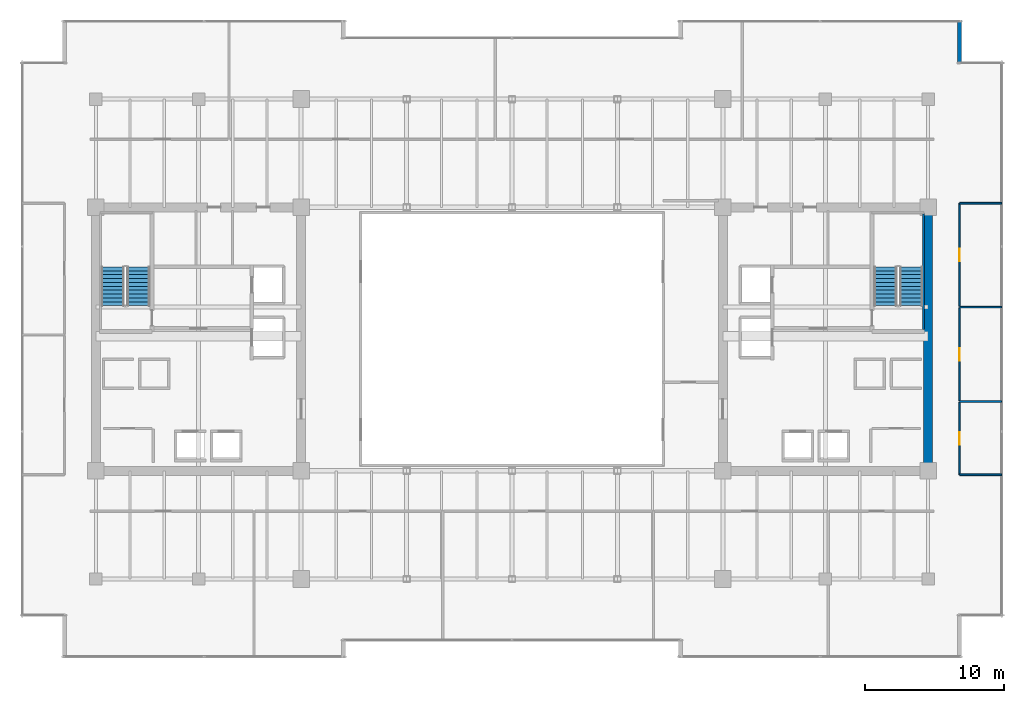
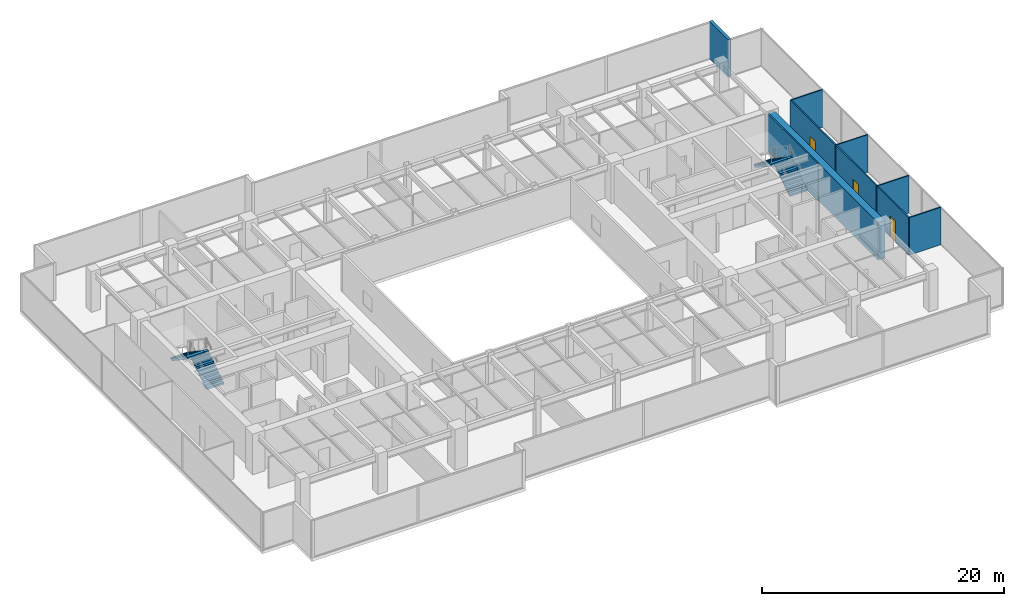
# One storey, part 28 of 30: 10 walls, 4 stair flights, 3 doors, 3 openings, 2 elements without a shape of their own.
"""IFC4 building model written with IfcOpenShell, lengths in metres."""

from ifc_helpers import new_model, si_unit, direction, frame, frame_2d, origin, place, context, subcontext, project, spatial, polyline, rectangle, outline, extrude, source, transform, mapped, material, layer, layer_set, type_object, type_shapes, element, fill, aggregate, save


model = new_model("IFC4")

# Units and contexts
model_context = context("Model", 3, precision=1e-05, world=origin(), true_north=direction((0.0, 1.0)))
body_context = subcontext(model_context, "Body", "Model", "MODEL_VIEW")
ifc_project = project(units=[si_unit("LENGTHUNIT", "METRE"), si_unit("AREAUNIT", "SQUARE_METRE"), si_unit("VOLUMEUNIT", "CUBIC_METRE"), si_unit("PLANEANGLEUNIT", "RADIAN"), si_unit("MASSUNIT", "GRAM", prefix="KILO")], contexts=[model_context])

# Site, building, storey
site_placement = place(None, origin())
site = spatial("IfcSite", under=ifc_project, at=site_placement, CompositionType="ELEMENT")
building_placement = place(site_placement, origin())
building = spatial("IfcBuilding", under=site, at=building_placement, Name="Haelvirn Gate Laboratories", CompositionType="ELEMENT")
storey_placement = place(building_placement, frame((0.0, 0.0, 142.0)))
storey = spatial("IfcBuildingStorey", under=building, at=storey_placement, Name="L34", CompositionType="ELEMENT", Elevation=142.0)

# Walls
ifc_material_1 = material(Name="Thermally-broken bronze aluminium rainscreen & mineral wool", Category="aluminium")
ifc_layer_1 = layer(ifc_material_1, 0.280029296875, Name="EW-TERR-280")
ifc_layer_set_1 = layer_set([ifc_layer_1], Name="Thermally-broken bronze aluminium rainscreen & mineral wool")
wall_type_1 = type_object("IfcWallType", Name="EW-TERR-280", PredefinedType="STANDARD", material=ifc_layer_set_1)
wall_1_placement = place(storey_placement, frame((69.659912109375, 44.2119140625, 0.0), z_axis=(0.0, 0.0, 1.0), x_axis=(0.0, 1.0, 0.0)))
element("IfcWall", 1, at=wall_1_placement, inside=storey, type_object=wall_type_1, Name="L34 Atrium Recess Bronze Return Wall 09", PredefinedType="STANDARD", context=body_context, shape_type="SweptSolid", body=[
    extrude(rectangle(XDim=3.088134765625, YDim=0.280029296875, at=frame_2d((1.5439453125, 0.0))), origin(), (0.0, 0.0, 1.0), 3.7900390625),
])
ifc_material_2 = material(Name="Lightweight acoustic gypsum board partition", Category="gypsum")
ifc_layer_2 = layer(ifc_material_2, 0.1201171875, Name="IW-PART-120")
ifc_layer_set_2 = layer_set([ifc_layer_2], Name="Lightweight acoustic gypsum board partition")
wall_type_2 = type_object("IfcWallType", Name="IW-PART-120", PredefinedType="PARTITIONING", material=ifc_layer_set_2)
for number, where, z_axis, x_axis, name in (
    (2, (69.669921875, 14.514892578125, 0.0), (0.0, 0.0, 1.0), (1.0, 0.0, 0.0), "L34 Interior Wall IW-L34-ECAP-S"),
    (3, (69.669921875, 34.0849609375, 0.0), (0.0, 0.0, 1.0), (1.0, 0.0, 0.0), "L34 Interior Wall IW-L34-ECAP-N"),
):
    element("IfcWall", number, at=place(storey_placement, frame(where, z_axis=z_axis, x_axis=x_axis)), inside=storey, type_object=wall_type_2, Name=name, PredefinedType="PARTITIONING", context=body_context, shape_type="SweptSolid", body=[
        extrude(rectangle(XDim=3.02001953125, YDim=0.1201171875, at=frame_2d((1.510009765625, 0.0))), origin(), (0.0, 0.0, 1.0), 3.7900390625),
    ])

# Wall, opening, door
wall_2_placement = place(storey_placement, frame((69.669921875, 14.514892578125, 0.0), z_axis=(0.0, 0.0, 1.0), x_axis=(0.0, 1.0, 0.0)))
wall_2 = element("IfcWall", 4, at=wall_2_placement, inside=storey, type_object=wall_type_2, Name="L34 Interior Wall IW-L34-EPASS-01", PredefinedType="PARTITIONING", context=body_context, shape_type="SweptSolid", body=[
    extrude(rectangle(XDim=5.22509765625, YDim=0.1201171875, at=frame_2d((2.612548828125, 0.0))), origin(), (0.0, 0.0, 1.0), 3.7900390625),
])
opening_1_placement = place(wall_2_placement, frame((2.16259765625, 0.0, 0.0)))
opening_1 = element("IfcOpeningElement", 5, at=opening_1_placement, cuts=wall_2, Name="Opening D4", PredefinedType="OPENING", context=body_context, shape_type="SweptSolid", body=[
    extrude(rectangle(XDim=0.89990234375, YDim=2.10009765625, at=frame_2d((0.449951171875, 1.050048828125))), frame((0.0, 0.070068359375, 0.0), z_axis=(0.0, -1.0, 0.0), x_axis=(1.0, 0.0, 0.0)), (0.0, 0.0, 1.0), 0.14013671875),
])
ifc_material_3 = material(Name="Glazed aluminium-framed write-up door", Category="aluminium")
door_type = type_object("IfcDoorType", Name="DR-OFF-900", OperationType="NOTDEFINED", PredefinedType="DOOR", material=ifc_material_3)
shared_shape_1 = source(origin(), body_context, "Body", "SweptSolid", [
    extrude(rectangle(XDim=0.89990234375, YDim=2.10009765625, at=frame_2d((0.449951171875, 1.050048828125))), frame((0.0, 0.02490234375, 0.0), z_axis=(0.0, -1.0, 0.0), x_axis=(1.0, 0.0, 0.0)), (0.0, 0.0, 1.0), 0.050048828125),
])
type_shapes(door_type, [shared_shape_1])
door_1_placement = place(opening_1_placement, origin())
door_1 = element("IfcDoor", 6, at=door_1_placement, inside=storey, type_object=door_type, Name="L34 Genomics Assay Laboratory Door E1", OperationType="SINGLE_SWING_LEFT", OverallHeight=2.10009765625, OverallWidth=0.89990234375, PredefinedType="DOOR", context=body_context, shape_type="MappedRepresentation", body=[
    mapped(shared_shape_1, transform((0.0, 0.0, 0.0), scale=1.0)),
])
fill(opening_1, door_1)

# Wall
wall_3_placement = place(storey_placement, frame((69.669921875, 19.800048828125, 0.0), z_axis=(0.0, 0.0, 1.0), x_axis=(1.0, 0.0, 0.0)))
element("IfcWall", 7, at=wall_3_placement, inside=storey, type_object=wall_type_2, Name="L34 Interior Wall IW-L34-EDIV-01", PredefinedType="PARTITIONING", context=body_context, shape_type="SweptSolid", body=[
    extrude(rectangle(XDim=3.02001953125, YDim=0.1201171875, at=frame_2d((1.510009765625, 0.0))), origin(), (0.0, 0.0, 1.0), 3.7900390625),
])

# Wall, opening, door
wall_4_placement = place(storey_placement, frame((69.669921875, 19.860107421875, 0.0), z_axis=(0.0, 0.0, 1.0), x_axis=(0.0, 1.0, 0.0)))
wall_4 = element("IfcWall", 8, at=wall_4_placement, inside=storey, type_object=wall_type_2, Name="L34 Interior Wall IW-L34-EPASS-02", PredefinedType="PARTITIONING", context=body_context, shape_type="SweptSolid", body=[
    extrude(rectangle(XDim=6.679931640625, YDim=0.1201171875, at=frame_2d((3.33984375, 0.0))), origin(), (0.0, 0.0, 1.0), 3.7900390625),
])
opening_2_placement = place(wall_4_placement, frame((2.889892578125, 0.0, 0.0)))
opening_2 = element("IfcOpeningElement", 9, at=opening_2_placement, cuts=wall_4, Name="Opening D4", PredefinedType="OPENING", context=body_context, shape_type="SweptSolid", body=[
    extrude(rectangle(XDim=0.89990234375, YDim=2.10009765625, at=frame_2d((0.449951171875, 1.050048828125))), frame((0.0, 0.070068359375, 0.0), z_axis=(0.0, -1.0, 0.0), x_axis=(1.0, 0.0, 0.0)), (0.0, 0.0, 1.0), 0.14013671875),
])
door_2_placement = place(opening_2_placement, origin())
door_2 = element("IfcDoor", 10, at=door_2_placement, inside=storey, type_object=door_type, Name="L34 Proteomics Mass-Spec Laboratory Door E2", OperationType="SINGLE_SWING_RIGHT", OverallHeight=2.10009765625, OverallWidth=0.89990234375, PredefinedType="DOOR", context=body_context, shape_type="MappedRepresentation", body=[
    mapped(shared_shape_1, transform((0.0, 0.0, 0.0), scale=1.0)),
])
fill(opening_2, door_2)

# Wall
wall_5_placement = place(storey_placement, frame((69.669921875, 26.60009765625, 0.0), z_axis=(0.0, 0.0, 1.0), x_axis=(1.0, 0.0, 0.0)))
element("IfcWall", 11, at=wall_5_placement, inside=storey, type_object=wall_type_2, Name="L34 Interior Wall IW-L34-EDIV-02", PredefinedType="PARTITIONING", context=body_context, shape_type="SweptSolid", body=[
    extrude(rectangle(XDim=3.02001953125, YDim=0.1201171875, at=frame_2d((1.510009765625, 0.0))), origin(), (0.0, 0.0, 1.0), 3.7900390625),
])

# Wall, opening, door
wall_6_placement = place(storey_placement, frame((69.669921875, 26.659912109375, 0.0), z_axis=(0.0, 0.0, 1.0), x_axis=(0.0, 1.0, 0.0)))
wall_6 = element("IfcWall", 12, at=wall_6_placement, inside=storey, type_object=wall_type_2, Name="L34 Interior Wall IW-L34-EPASS-03", PredefinedType="PARTITIONING", context=body_context, shape_type="SweptSolid", body=[
    extrude(rectangle(XDim=7.425048828125, YDim=0.1201171875, at=frame_2d((3.71240234375, 0.0))), origin(), (0.0, 0.0, 1.0), 3.7900390625),
])
opening_3_placement = place(wall_6_placement, frame((3.262451171875, 0.0, 0.0)))
opening_3 = element("IfcOpeningElement", 13, at=opening_3_placement, cuts=wall_6, Name="Opening D4", PredefinedType="OPENING", context=body_context, shape_type="SweptSolid", body=[
    extrude(rectangle(XDim=0.89990234375, YDim=2.10009765625, at=frame_2d((0.449951171875, 1.050048828125))), frame((0.0, 0.070068359375, 0.0), z_axis=(0.0, -1.0, 0.0), x_axis=(1.0, 0.0, 0.0)), (0.0, 0.0, 1.0), 0.14013671875),
])
door_3_placement = place(opening_3_placement, origin())
door_3 = element("IfcDoor", 14, at=door_3_placement, inside=storey, type_object=door_type, Name="L34 Chemical Synthesis Laboratory Door E3", OperationType="SINGLE_SWING_LEFT", OverallHeight=2.10009765625, OverallWidth=0.89990234375, PredefinedType="DOOR", context=body_context, shape_type="MappedRepresentation", body=[
    mapped(shared_shape_1, transform((0.0, 0.0, 0.0), scale=1.0)),
])
fill(opening_3, door_3)

# Walls
ifc_material_4 = material(Name="Concrete C60/75", Category="concrete")
ifc_layer_3 = layer(ifc_material_4, 0.64990234375, Name="SW-CORE-650")
ifc_layer_set_3 = layer_set([ifc_layer_3], Name="Concrete C60/75")
wall_type_3 = type_object("IfcWallType", Name="SW-CORE-650", PredefinedType="SHEAR", material=ifc_layer_set_3)
wall_7_placement = place(storey_placement, frame((67.39990234375, 15.125, 0.0), z_axis=(0.0, 0.0, 1.0), x_axis=(0.0, 1.0, 0.0)))
element("IfcWall", 15, at=wall_7_placement, inside=storey, type_object=wall_type_3, Name="L34 E Core Shear Wall E", PredefinedType="SHEAR", context=body_context, shape_type="SweptSolid", body=[
    extrude(rectangle(XDim=18.35009765625, YDim=0.64990234375, at=frame_2d((9.175048828125, 0.0))), origin(), (0.0, 0.0, 1.0), 3.7900390625),
])
ifc_material_5 = material(Name="Concrete C50/60", Category="concrete")
ifc_layer_4 = layer(ifc_material_5, 0.1201171875, Name="SW-LINER-120")
ifc_layer_set_4 = layer_set([ifc_layer_4], Name="Concrete C50/60")
wall_type_4 = type_object("IfcWallType", Name="SW-LINER-120", PredefinedType="SOLIDWALL", material=ifc_layer_set_4)
wall_8_placement = place(storey_placement, frame((67.070068359375, 25.0, 0.0), z_axis=(0.0, 0.0, 1.0), x_axis=(0.0, 1.0, 0.0)))
element("IfcWall", 16, at=wall_8_placement, inside=storey, type_object=wall_type_4, Name="L34 E Core Stair Shaft Liner Wall OUT", PredefinedType="SOLIDWALL", context=body_context, shape_type="SweptSolid", body=[
    extrude(rectangle(XDim=8.320068359375, YDim=0.1201171875, at=frame_2d((4.16015625, 0.0))), origin(), (0.0, 0.0, 1.0), 3.7900390625),
])

# Stair, stair flights
ifc_material_6 = material(Name="Concrete C40/50", Category="concrete")
stair_type = type_object("IfcStairType", Name="ST-DOG-1650-R22", PredefinedType="HALF_TURN_STAIR", material=ifc_material_6)
stair_1_placement = place(storey_placement, origin())
stair_1 = element("IfcStair", 17, at=stair_1_placement, inside=storey, type_object=stair_type, Name="L34 Escape Stair ST1", PredefinedType="HALF_TURN_STAIR")
stair_flight_type = type_object("IfcStairFlightType", Name="STF-1650-R11", PredefinedType="STRAIGHT", material=ifc_material_6)
shared_shape_2 = source(origin(), body_context, "Body", "SweptSolid", [
    extrude(outline(polyline([(0.0, 0.0), (0.0, 0.186279296875), (0.280029296875, 0.186279296875), (0.280029296875, 0.372802734375), (0.56005859375, 0.372802734375), (0.56005859375, 0.55908203125), (0.840087890625, 0.55908203125), (0.840087890625, 0.745361328125), (1.1201171875, 0.745361328125), (1.1201171875, 0.931884765625), (1.39990234375, 0.931884765625), (1.39990234375, 1.1181640625), (1.679931640625, 1.1181640625), (1.679931640625, 1.304443359375), (1.9599609375, 1.304443359375), (1.9599609375, 1.490966796875), (2.239990234375, 1.490966796875), (2.239990234375, 1.67724609375), (2.52001953125, 1.67724609375), (2.52001953125, 1.863525390625), (2.800048828125, 1.863525390625), (2.800048828125, 2.050048828125), (2.800048828125, 1.671630859375), (0.28857421875, 0.0), (0.0, 0.0)])), frame((0.0, 0.824951171875, 0.0), z_axis=(0.0, -1.0, 0.0), x_axis=(1.0, 0.0, 0.0)), (0.0, 0.0, 1.0), 1.64990234375),
])
type_shapes(stair_flight_type, [shared_shape_2])
stair_flight_1_placement = place(storey_placement, frame((10.47509765625, 26.699951171875, 0.0), z_axis=(0.0, 0.0, 1.0), x_axis=(0.0, 1.0, 0.0)))
stair_flight_1 = element("IfcStairFlight", 18, at=stair_flight_1_placement, type_object=stair_flight_type, Name="ST1 flight 1", NumberOfRisers=11, NumberOfTreads=10, PredefinedType="STRAIGHT", RiserHeight=0.186363636, TreadLength=0.28, context=body_context, shape_type="MappedRepresentation", body=[
    mapped(shared_shape_2, transform((0.0, 0.0, 0.0), scale=1.0)),
])
stair_flight_2_placement = place(storey_placement, frame((8.625, 29.5, 2.050048828125), z_axis=(0.0, 0.0, 1.0), x_axis=(0.0, -1.0, 0.0)))
stair_flight_2 = element("IfcStairFlight", 19, at=stair_flight_2_placement, type_object=stair_flight_type, Name="ST1 flight 2", NumberOfRisers=11, NumberOfTreads=10, PredefinedType="STRAIGHT", RiserHeight=0.186363636, TreadLength=0.28, context=body_context, shape_type="MappedRepresentation", body=[
    mapped(shared_shape_2, transform((0.0, 0.0, 0.0), scale=1.0)),
])
aggregate(stair_1, [stair_flight_1, stair_flight_2])

stair_2_placement = place(storey_placement, origin())
stair_2 = element("IfcStair", 20, at=stair_2_placement, inside=storey, type_object=stair_type, Name="L34 Escape Stair ST2", PredefinedType="HALF_TURN_STAIR")
stair_flight_3_placement = place(storey_placement, frame((66.175048828125, 26.699951171875, 0.0), z_axis=(0.0, 0.0, 1.0), x_axis=(0.0, 1.0, 0.0)))
stair_flight_3 = element("IfcStairFlight", 21, at=stair_flight_3_placement, type_object=stair_flight_type, Name="ST2 flight 1", NumberOfRisers=11, NumberOfTreads=10, PredefinedType="STRAIGHT", RiserHeight=0.186363636, TreadLength=0.28, context=body_context, shape_type="MappedRepresentation", body=[
    mapped(shared_shape_2, transform((0.0, 0.0, 0.0), scale=1.0)),
])
stair_flight_4_placement = place(storey_placement, frame((64.324951171875, 29.5, 2.050048828125), z_axis=(0.0, 0.0, 1.0), x_axis=(0.0, -1.0, 0.0)))
stair_flight_4 = element("IfcStairFlight", 22, at=stair_flight_4_placement, type_object=stair_flight_type, Name="ST2 flight 2", NumberOfRisers=11, NumberOfTreads=10, PredefinedType="STRAIGHT", RiserHeight=0.186363636, TreadLength=0.28, context=body_context, shape_type="MappedRepresentation", body=[
    mapped(shared_shape_2, transform((0.0, 0.0, 0.0), scale=1.0)),
])
aggregate(stair_2, [stair_flight_3, stair_flight_4])

save(model, "model.ifc")
